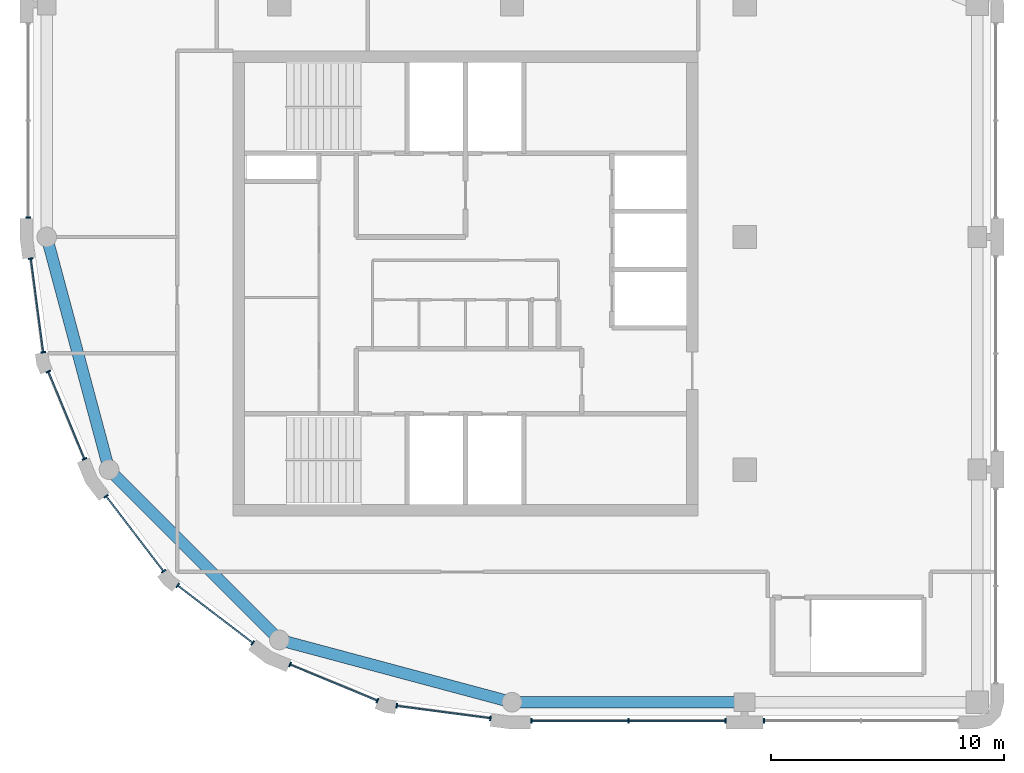
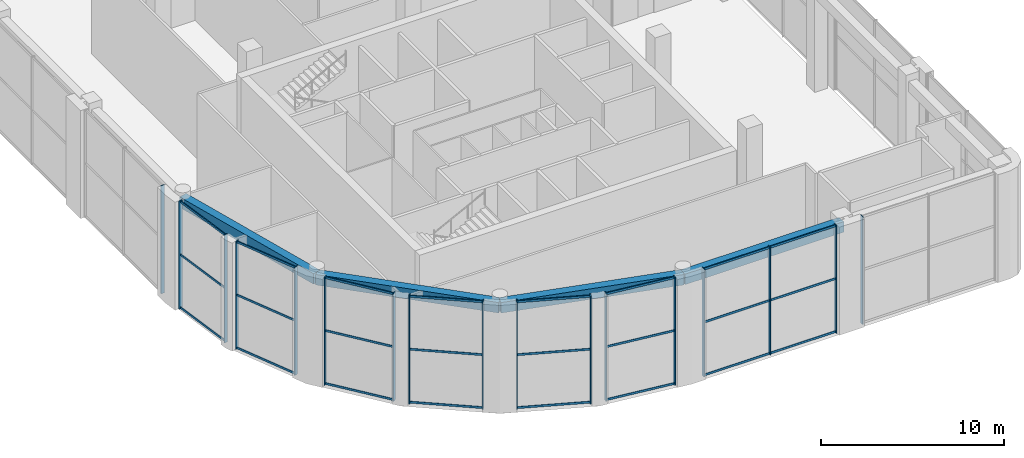
# One storey, part 2 of 14: 41 members, 4 beams, 9 elements without a shape of their own.
"""IFC4 building model written with IfcOpenShell, lengths in metres."""

from ifc_helpers import new_model, si_unit, direction, frame, origin, origin_2d, place, context, subcontext, project, spatial, rectangle, extrude, material, layer, layer_set, material_profile, profile_set, type_object, element, aggregate, save


model = new_model("IFC4")

# Units and contexts
model_context = context("Model", 3, precision=1e-05, world=origin(), true_north=direction((0.0, 1.0)))
body_context = subcontext(model_context, "Body", "Model", "MODEL_VIEW")
ifc_project = project(units=[si_unit("LENGTHUNIT", "METRE"), si_unit("AREAUNIT", "SQUARE_METRE"), si_unit("VOLUMEUNIT", "CUBIC_METRE"), si_unit("PLANEANGLEUNIT", "RADIAN"), si_unit("MASSUNIT", "GRAM", prefix="KILO")], contexts=[model_context])

# Site, building, storey
site_placement = place(None, origin())
site = spatial("IfcSite", under=ifc_project, at=site_placement, CompositionType="ELEMENT")
building_placement = place(site_placement, origin())
building = spatial("IfcBuilding", under=site, at=building_placement, Name="Qaws Garden Tower", CompositionType="ELEMENT")
storey_placement = place(building_placement, frame((0.0, 0.0, 358.199951171875)))
storey = spatial("IfcBuildingStorey", under=building, at=storey_placement, Name="L87", CompositionType="ELEMENT", Elevation=358.199951171875)

# Curtain wall, members
ifc_material_1 = material(Name="Anodised aluminium curtain wall frame", Category="aluminium")
ifc_layer = layer(ifc_material_1, 0.159912109375)
ifc_layer_set = layer_set([ifc_layer], Name="Anodised aluminium curtain wall frame")
curtain_wall_type = type_object("IfcCurtainWallType", Name="CW3 observation glazing curtain wall", PredefinedType="NOTDEFINED", material=ifc_layer_set)
placement = place(storey_placement, origin())
curtain_wall_1 = element("IfcCurtainWall", 1, at=placement, inside=storey, type_object=curtain_wall_type, Name="CW3 Observation glazing 00", PredefinedType="NOTDEFINED")
ifc_material_2 = material(Name="Anodised aluminium curtain wall frame", Category="aluminium")
ifc_material_profile_1 = material_profile(ifc_material_2, rectangle(XDim=0.219970703125, YDim=0.06005859375, at=origin_2d()), Name="AL 60x220")
ifc_profile_set_1 = profile_set([ifc_material_profile_1], Name="Anodised aluminium curtain wall frame")
member_type_1 = type_object("IfcMemberType", Name="CW3 mullion 60 x 220", PredefinedType="MULLION", material=ifc_profile_set_1)
member_1_placement = place(storey_placement, frame((20.830078125, -0.800048828125, 0.0), z_axis=(0.0, 0.0, 1.0), x_axis=(0.0, 1.0, 0.0)))
member_1 = element("IfcMember", 2, at=member_1_placement, type_object=member_type_1, Name="CW3 mullion 1", PredefinedType="MULLION", context=body_context, shape_type="SweptSolid", body=[
    extrude(rectangle(XDim=0.219970703125, YDim=0.06005859375, at=origin_2d()), origin(), (0.0, 0.0, 1.0), 7.199951171875),
])
member_2_placement = place(storey_placement, frame((25.0, -0.800048828125, 0.0), z_axis=(0.0, 0.0, 1.0), x_axis=(0.0, 1.0, 0.0)))
member_2 = element("IfcMember", 3, at=member_2_placement, type_object=member_type_1, Name="CW3 mullion 2", PredefinedType="MULLION", context=body_context, shape_type="SweptSolid", body=[
    extrude(rectangle(XDim=0.219970703125, YDim=0.06005859375, at=origin_2d()), origin(), (0.0, 0.0, 1.0), 7.199951171875),
])
member_3_placement = place(storey_placement, frame((29.169921875, -0.800048828125, 0.0), z_axis=(0.0, 0.0, 1.0), x_axis=(0.0, 1.0, 0.0)))
member_3 = element("IfcMember", 4, at=member_3_placement, type_object=member_type_1, Name="CW3 mullion 3", PredefinedType="MULLION", context=body_context, shape_type="SweptSolid", body=[
    extrude(rectangle(XDim=0.219970703125, YDim=0.06005859375, at=origin_2d()), origin(), (0.0, 0.0, 1.0), 7.199951171875),
])

# Curtain wall, member
curtain_wall_2 = element("IfcCurtainWall", 5, at=placement, inside=storey, type_object=curtain_wall_type, Name="CW3 Observation glazing 01", PredefinedType="NOTDEFINED")
member_4_placement = place(storey_placement, frame((30.830078125, -0.800048828125, 0.0), z_axis=(0.0, 0.0, 1.0), x_axis=(0.0, 1.0, 0.0)))
member_4 = element("IfcMember", 6, at=member_4_placement, type_object=member_type_1, Name="CW3 mullion 1", PredefinedType="MULLION", context=body_context, shape_type="SweptSolid", body=[
    extrude(rectangle(XDim=0.219970703125, YDim=0.06005859375, at=origin_2d()), origin(), (0.0, 0.0, 1.0), 7.199951171875),
])
aggregate(curtain_wall_2, [member_4])

curtain_wall_3 = element("IfcCurtainWall", 7, at=placement, inside=storey, type_object=curtain_wall_type, Name="CW3 Observation glazing 20", PredefinedType="NOTDEFINED")
member_5_placement = place(storey_placement, frame((-0.800048828125, 20.830078125, 0.0), z_axis=(0.0, 0.0, 1.0), x_axis=(1.0, 0.0, 0.0)))
member_5 = element("IfcMember", 8, at=member_5_placement, type_object=member_type_1, Name="CW3 mullion 3", PredefinedType="MULLION", context=body_context, shape_type="SweptSolid", body=[
    extrude(rectangle(XDim=0.219970703125, YDim=0.06005859375, at=origin_2d()), origin(), (0.0, 0.0, 1.0), 7.199951171875),
])
aggregate(curtain_wall_3, [member_5])

# Curtain wall, members
curtain_wall_4 = element("IfcCurtainWall", 9, at=placement, inside=storey, type_object=curtain_wall_type, Name="CW3 Observation glazing 21", PredefinedType="NOTDEFINED")
member_6_placement = place(storey_placement, frame((-0.684814453125, 19.07275390625, 0.0), z_axis=(0.0, 0.0, 1.0), x_axis=(0.991444861397, 0.130526192047, 0.0)))
member_6 = element("IfcMember", 10, at=member_6_placement, type_object=member_type_1, Name="CW3 mullion 1", PredefinedType="MULLION", context=body_context, shape_type="SweptSolid", body=[
    extrude(rectangle(XDim=0.219970703125, YDim=0.06005859375, at=origin_2d()), origin(), (0.0, 0.0, 1.0), 7.199951171875),
])
member_7_placement = place(storey_placement, frame((-0.15478515625, 15.04638671875, 0.0), z_axis=(0.0, 0.0, 1.0), x_axis=(0.991444861397, 0.130526192047, 0.0)))
member_7 = element("IfcMember", 11, at=member_7_placement, type_object=member_type_1, Name="CW3 mullion 2", PredefinedType="MULLION", context=body_context, shape_type="SweptSolid", body=[
    extrude(rectangle(XDim=0.219970703125, YDim=0.06005859375, at=origin_2d()), origin(), (0.0, 0.0, 1.0), 7.199951171875),
])

curtain_wall_5 = element("IfcCurtainWall", 12, at=placement, inside=storey, type_object=curtain_wall_type, Name="CW3 Observation glazing 22", PredefinedType="NOTDEFINED")
member_8_placement = place(storey_placement, frame((0.068603515625, 14.212646484375, 0.0), z_axis=(0.0, 0.0, 1.0), x_axis=(0.923879532545, 0.382683432284, 0.0)))
member_8 = element("IfcMember", 13, at=member_8_placement, type_object=member_type_1, Name="CW3 mullion 1", PredefinedType="MULLION", context=body_context, shape_type="SweptSolid", body=[
    extrude(rectangle(XDim=0.219970703125, YDim=0.06005859375, at=origin_2d()), origin(), (0.0, 0.0, 1.0), 7.199951171875),
])
member_9_placement = place(storey_placement, frame((1.622802734375, 10.460693359375, 0.0), z_axis=(0.0, 0.0, 1.0), x_axis=(0.923879532545, 0.382683432284, 0.0)))
member_9 = element("IfcMember", 14, at=member_9_placement, type_object=member_type_1, Name="CW3 mullion 2", PredefinedType="MULLION", context=body_context, shape_type="SweptSolid", body=[
    extrude(rectangle(XDim=0.219970703125, YDim=0.06005859375, at=origin_2d()), origin(), (0.0, 0.0, 1.0), 7.199951171875),
])

curtain_wall_6 = element("IfcCurtainWall", 15, at=placement, inside=storey, type_object=curtain_wall_type, Name="CW3 Observation glazing 23", PredefinedType="NOTDEFINED")
member_10_placement = place(storey_placement, frame((2.550048828125, 8.8544921875, 0.0), z_axis=(0.0, 0.0, 1.0), x_axis=(0.793353340355, 0.608761428926, 0.0)))
member_10 = element("IfcMember", 16, at=member_10_placement, type_object=member_type_1, Name="CW3 mullion 1", PredefinedType="MULLION", context=body_context, shape_type="SweptSolid", body=[
    extrude(rectangle(XDim=0.219970703125, YDim=0.06005859375, at=origin_2d()), origin(), (0.0, 0.0, 1.0), 7.199951171875),
])
member_11_placement = place(storey_placement, frame((5.022216796875, 5.632568359375, 0.0), z_axis=(0.0, 0.0, 1.0), x_axis=(0.793353340355, 0.608761428926, 0.0)))
member_11 = element("IfcMember", 17, at=member_11_placement, type_object=member_type_1, Name="CW3 mullion 2", PredefinedType="MULLION", context=body_context, shape_type="SweptSolid", body=[
    extrude(rectangle(XDim=0.219970703125, YDim=0.06005859375, at=origin_2d()), origin(), (0.0, 0.0, 1.0), 7.199951171875),
])

curtain_wall_7 = element("IfcCurtainWall", 18, at=placement, inside=storey, type_object=curtain_wall_type, Name="CW3 Observation glazing 24", PredefinedType="NOTDEFINED")
member_12_placement = place(storey_placement, frame((5.632568359375, 5.022216796875, 0.0), z_axis=(0.0, 0.0, 1.0), x_axis=(0.608761428926, 0.793353340355, 0.0)))
member_12 = element("IfcMember", 19, at=member_12_placement, type_object=member_type_1, Name="CW3 mullion 1", PredefinedType="MULLION", context=body_context, shape_type="SweptSolid", body=[
    extrude(rectangle(XDim=0.219970703125, YDim=0.06005859375, at=origin_2d()), origin(), (0.0, 0.0, 1.0), 7.199951171875),
])
member_13_placement = place(storey_placement, frame((8.8544921875, 2.550048828125, 0.0), z_axis=(0.0, 0.0, 1.0), x_axis=(0.608761428926, 0.793353340355, 0.0)))
member_13 = element("IfcMember", 20, at=member_13_placement, type_object=member_type_1, Name="CW3 mullion 2", PredefinedType="MULLION", context=body_context, shape_type="SweptSolid", body=[
    extrude(rectangle(XDim=0.219970703125, YDim=0.06005859375, at=origin_2d()), origin(), (0.0, 0.0, 1.0), 7.199951171875),
])

curtain_wall_8 = element("IfcCurtainWall", 21, at=placement, inside=storey, type_object=curtain_wall_type, Name="CW3 Observation glazing 25", PredefinedType="NOTDEFINED")
member_14_placement = place(storey_placement, frame((10.460693359375, 1.622802734375, 0.0), z_axis=(0.0, 0.0, 1.0), x_axis=(0.382683432284, 0.923879532545, 0.0)))
member_14 = element("IfcMember", 22, at=member_14_placement, type_object=member_type_1, Name="CW3 mullion 1", PredefinedType="MULLION", context=body_context, shape_type="SweptSolid", body=[
    extrude(rectangle(XDim=0.219970703125, YDim=0.06005859375, at=origin_2d()), origin(), (0.0, 0.0, 1.0), 7.199951171875),
])
member_15_placement = place(storey_placement, frame((14.212646484375, 0.068603515625, 0.0), z_axis=(0.0, 0.0, 1.0), x_axis=(0.382683432284, 0.923879532545, 0.0)))
member_15 = element("IfcMember", 23, at=member_15_placement, type_object=member_type_1, Name="CW3 mullion 2", PredefinedType="MULLION", context=body_context, shape_type="SweptSolid", body=[
    extrude(rectangle(XDim=0.219970703125, YDim=0.06005859375, at=origin_2d()), origin(), (0.0, 0.0, 1.0), 7.199951171875),
])

curtain_wall_9 = element("IfcCurtainWall", 24, at=placement, inside=storey, type_object=curtain_wall_type, Name="CW3 Observation glazing 26", PredefinedType="NOTDEFINED")
member_16_placement = place(storey_placement, frame((15.04638671875, -0.15478515625, 0.0), z_axis=(0.0, 0.0, 1.0), x_axis=(0.130526192047, 0.991444861397, 0.0)))
member_16 = element("IfcMember", 25, at=member_16_placement, type_object=member_type_1, Name="CW3 mullion 1", PredefinedType="MULLION", context=body_context, shape_type="SweptSolid", body=[
    extrude(rectangle(XDim=0.219970703125, YDim=0.06005859375, at=origin_2d()), origin(), (0.0, 0.0, 1.0), 7.199951171875),
])
member_17_placement = place(storey_placement, frame((19.07275390625, -0.684814453125, 0.0), z_axis=(0.0, 0.0, 1.0), x_axis=(0.130526192047, 0.991444861397, 0.0)))
member_17 = element("IfcMember", 26, at=member_17_placement, type_object=member_type_1, Name="CW3 mullion 2", PredefinedType="MULLION", context=body_context, shape_type="SweptSolid", body=[
    extrude(rectangle(XDim=0.219970703125, YDim=0.06005859375, at=origin_2d()), origin(), (0.0, 0.0, 1.0), 7.199951171875),
])

# Member
ifc_material_3 = material(Name="Anodised aluminium curtain wall frame", Category="aluminium")
ifc_material_profile_2 = material_profile(ifc_material_3, rectangle(XDim=0.06005859375, YDim=0.139892578125, at=origin_2d()), Name="AL 60x140")
ifc_profile_set_2 = profile_set([ifc_material_profile_2], Name="Anodised aluminium curtain wall frame")
member_type_2 = type_object("IfcMemberType", Name="CW3 transom 140 x 60", PredefinedType="USERDEFINED", material=ifc_profile_set_2)
member_18_placement = place(storey_placement, frame((20.860107421875, -0.800048828125, 0.070068359375), z_axis=(1.0, 0.0, 0.0), x_axis=(0.0, 1.0, 0.0)))
member_18 = element("IfcMember", 27, at=member_18_placement, type_object=member_type_2, Name="CW3 transom 1.1", ObjectType="TRANSOM", PredefinedType="USERDEFINED", context=body_context, shape_type="SweptSolid", body=[
    extrude(rectangle(XDim=0.06005859375, YDim=0.139892578125, at=origin_2d()), origin(), (0.0, 0.0, 1.0), 4.10986328125),
])

member_19_placement = place(storey_placement, frame((20.860107421875, -0.800048828125, 3.60009765625), z_axis=(1.0, 0.0, 0.0), x_axis=(0.0, 1.0, 0.0)))
member_19 = element("IfcMember", 28, at=member_19_placement, type_object=member_type_2, Name="CW3 transom 1.2", ObjectType="TRANSOM", PredefinedType="USERDEFINED", context=body_context, shape_type="SweptSolid", body=[
    extrude(rectangle(XDim=0.06005859375, YDim=0.139892578125, at=origin_2d()), origin(), (0.0, 0.0, 1.0), 4.10986328125),
])

member_20_placement = place(storey_placement, frame((20.860107421875, -0.800048828125, 7.130126953125), z_axis=(1.0, 0.0, 0.0), x_axis=(0.0, 1.0, 0.0)))
member_20 = element("IfcMember", 29, at=member_20_placement, type_object=member_type_2, Name="CW3 transom 1.3", ObjectType="TRANSOM", PredefinedType="USERDEFINED", context=body_context, shape_type="SweptSolid", body=[
    extrude(rectangle(XDim=0.06005859375, YDim=0.139892578125, at=origin_2d()), origin(), (0.0, 0.0, 1.0), 4.10986328125),
])

member_21_placement = place(storey_placement, frame((25.030029296875, -0.800048828125, 0.070068359375), z_axis=(1.0, 0.0, 0.0), x_axis=(0.0, 1.0, 0.0)))
member_21 = element("IfcMember", 30, at=member_21_placement, type_object=member_type_2, Name="CW3 transom 2.1", ObjectType="TRANSOM", PredefinedType="USERDEFINED", context=body_context, shape_type="SweptSolid", body=[
    extrude(rectangle(XDim=0.06005859375, YDim=0.139892578125, at=origin_2d()), origin(), (0.0, 0.0, 1.0), 4.10986328125),
])

member_22_placement = place(storey_placement, frame((25.030029296875, -0.800048828125, 3.60009765625), z_axis=(1.0, 0.0, 0.0), x_axis=(0.0, 1.0, 0.0)))
member_22 = element("IfcMember", 31, at=member_22_placement, type_object=member_type_2, Name="CW3 transom 2.2", ObjectType="TRANSOM", PredefinedType="USERDEFINED", context=body_context, shape_type="SweptSolid", body=[
    extrude(rectangle(XDim=0.06005859375, YDim=0.139892578125, at=origin_2d()), origin(), (0.0, 0.0, 1.0), 4.10986328125),
])

member_23_placement = place(storey_placement, frame((25.030029296875, -0.800048828125, 7.130126953125), z_axis=(1.0, 0.0, 0.0), x_axis=(0.0, 1.0, 0.0)))
member_23 = element("IfcMember", 32, at=member_23_placement, type_object=member_type_2, Name="CW3 transom 2.3", ObjectType="TRANSOM", PredefinedType="USERDEFINED", context=body_context, shape_type="SweptSolid", body=[
    extrude(rectangle(XDim=0.06005859375, YDim=0.139892578125, at=origin_2d()), origin(), (0.0, 0.0, 1.0), 4.10986328125),
])

aggregate(curtain_wall_1, [member_1, member_2, member_3, member_18, member_19, member_20, member_21, member_22, member_23])

member_24_placement = place(storey_placement, frame((-0.680908203125, 19.04296875, 0.070068359375), z_axis=(0.13052080717, -0.991445570314, 0.0), x_axis=(0.991445570314, 0.13052080717, 0.0)))
member_24 = element("IfcMember", 33, at=member_24_placement, type_object=member_type_2, Name="CW3 transom 1.1", ObjectType="TRANSOM", PredefinedType="USERDEFINED", context=body_context, shape_type="SweptSolid", body=[
    extrude(rectangle(XDim=0.06005859375, YDim=0.139892578125, at=origin_2d()), origin(), (0.0, 0.0, 1.0), 4.0009765625),
])

member_25_placement = place(storey_placement, frame((-0.680908203125, 19.04296875, 3.60009765625), z_axis=(0.13052080717, -0.991445570314, 0.0), x_axis=(0.991445570314, 0.13052080717, 0.0)))
member_25 = element("IfcMember", 34, at=member_25_placement, type_object=member_type_2, Name="CW3 transom 1.2", ObjectType="TRANSOM", PredefinedType="USERDEFINED", context=body_context, shape_type="SweptSolid", body=[
    extrude(rectangle(XDim=0.06005859375, YDim=0.139892578125, at=origin_2d()), origin(), (0.0, 0.0, 1.0), 4.0009765625),
])

member_26_placement = place(storey_placement, frame((-0.680908203125, 19.04296875, 7.130126953125), z_axis=(0.13052080717, -0.991445570314, 0.0), x_axis=(0.991445570314, 0.13052080717, 0.0)))
member_26 = element("IfcMember", 35, at=member_26_placement, type_object=member_type_2, Name="CW3 transom 1.3", ObjectType="TRANSOM", PredefinedType="USERDEFINED", context=body_context, shape_type="SweptSolid", body=[
    extrude(rectangle(XDim=0.06005859375, YDim=0.139892578125, at=origin_2d()), origin(), (0.0, 0.0, 1.0), 4.0009765625),
])

aggregate(curtain_wall_4, [member_6, member_7, member_24, member_25, member_26])

member_27_placement = place(storey_placement, frame((0.080078125, 14.184814453125, 0.070068359375), z_axis=(0.382703871955, -0.923871065891, 0.0), x_axis=(0.923871065891, 0.382703871955, 0.0)))
member_27 = element("IfcMember", 36, at=member_27_placement, type_object=member_type_2, Name="CW3 transom 1.1", ObjectType="TRANSOM", PredefinedType="USERDEFINED", context=body_context, shape_type="SweptSolid", body=[
    extrude(rectangle(XDim=0.06005859375, YDim=0.139892578125, at=origin_2d()), origin(), (0.0, 0.0, 1.0), 4.001220703125),
])

member_28_placement = place(storey_placement, frame((0.080078125, 14.184814453125, 3.60009765625), z_axis=(0.382703871955, -0.923871065891, 0.0), x_axis=(0.923871065891, 0.382703871955, 0.0)))
member_28 = element("IfcMember", 37, at=member_28_placement, type_object=member_type_2, Name="CW3 transom 1.2", ObjectType="TRANSOM", PredefinedType="USERDEFINED", context=body_context, shape_type="SweptSolid", body=[
    extrude(rectangle(XDim=0.06005859375, YDim=0.139892578125, at=origin_2d()), origin(), (0.0, 0.0, 1.0), 4.001220703125),
])

member_29_placement = place(storey_placement, frame((0.080078125, 14.184814453125, 7.130126953125), z_axis=(0.382703871955, -0.923871065891, 0.0), x_axis=(0.923871065891, 0.382703871955, 0.0)))
member_29 = element("IfcMember", 38, at=member_29_placement, type_object=member_type_2, Name="CW3 transom 1.3", ObjectType="TRANSOM", PredefinedType="USERDEFINED", context=body_context, shape_type="SweptSolid", body=[
    extrude(rectangle(XDim=0.06005859375, YDim=0.139892578125, at=origin_2d()), origin(), (0.0, 0.0, 1.0), 4.001220703125),
])

aggregate(curtain_wall_5, [member_8, member_9, member_27, member_28, member_29])

member_30_placement = place(storey_placement, frame((2.568359375, 8.830810546875, 0.070068359375), z_axis=(0.608731260508, -0.793376488485, 0.0), x_axis=(0.793376488485, 0.608731260508, 0.0)))
member_30 = element("IfcMember", 39, at=member_30_placement, type_object=member_type_2, Name="CW3 transom 1.1", ObjectType="TRANSOM", PredefinedType="USERDEFINED", context=body_context, shape_type="SweptSolid", body=[
    extrude(rectangle(XDim=0.06005859375, YDim=0.139892578125, at=origin_2d()), origin(), (0.0, 0.0, 1.0), 4.0009765625),
])

member_31_placement = place(storey_placement, frame((2.568359375, 8.830810546875, 3.60009765625), z_axis=(0.608731260508, -0.793376488485, 0.0), x_axis=(0.793376488485, 0.608731260508, 0.0)))
member_31 = element("IfcMember", 40, at=member_31_placement, type_object=member_type_2, Name="CW3 transom 1.2", ObjectType="TRANSOM", PredefinedType="USERDEFINED", context=body_context, shape_type="SweptSolid", body=[
    extrude(rectangle(XDim=0.06005859375, YDim=0.139892578125, at=origin_2d()), origin(), (0.0, 0.0, 1.0), 4.0009765625),
])

member_32_placement = place(storey_placement, frame((2.568359375, 8.830810546875, 7.130126953125), z_axis=(0.608731260508, -0.793376488485, 0.0), x_axis=(0.793376488485, 0.608731260508, 0.0)))
member_32 = element("IfcMember", 41, at=member_32_placement, type_object=member_type_2, Name="CW3 transom 1.3", ObjectType="TRANSOM", PredefinedType="USERDEFINED", context=body_context, shape_type="SweptSolid", body=[
    extrude(rectangle(XDim=0.06005859375, YDim=0.139892578125, at=origin_2d()), origin(), (0.0, 0.0, 1.0), 4.0009765625),
])

aggregate(curtain_wall_6, [member_10, member_11, member_30, member_31, member_32])

member_33_placement = place(storey_placement, frame((5.656494140625, 5.00390625, 0.070068359375), z_axis=(0.793376488485, -0.608731260508, 0.0), x_axis=(0.608731260508, 0.793376488485, 0.0)))
member_33 = element("IfcMember", 42, at=member_33_placement, type_object=member_type_2, Name="CW3 transom 1.1", ObjectType="TRANSOM", PredefinedType="USERDEFINED", context=body_context, shape_type="SweptSolid", body=[
    extrude(rectangle(XDim=0.06005859375, YDim=0.139892578125, at=origin_2d()), origin(), (0.0, 0.0, 1.0), 4.0009765625),
])

member_34_placement = place(storey_placement, frame((5.656494140625, 5.00390625, 3.60009765625), z_axis=(0.793376488485, -0.608731260508, 0.0), x_axis=(0.608731260508, 0.793376488485, 0.0)))
member_34 = element("IfcMember", 43, at=member_34_placement, type_object=member_type_2, Name="CW3 transom 1.2", ObjectType="TRANSOM", PredefinedType="USERDEFINED", context=body_context, shape_type="SweptSolid", body=[
    extrude(rectangle(XDim=0.06005859375, YDim=0.139892578125, at=origin_2d()), origin(), (0.0, 0.0, 1.0), 4.0009765625),
])

member_35_placement = place(storey_placement, frame((5.656494140625, 5.00390625, 7.130126953125), z_axis=(0.793376488485, -0.608731260508, 0.0), x_axis=(0.608731260508, 0.793376488485, 0.0)))
member_35 = element("IfcMember", 44, at=member_35_placement, type_object=member_type_2, Name="CW3 transom 1.3", ObjectType="TRANSOM", PredefinedType="USERDEFINED", context=body_context, shape_type="SweptSolid", body=[
    extrude(rectangle(XDim=0.06005859375, YDim=0.139892578125, at=origin_2d()), origin(), (0.0, 0.0, 1.0), 4.0009765625),
])

aggregate(curtain_wall_7, [member_12, member_13, member_33, member_34, member_35])

member_36_placement = place(storey_placement, frame((10.48828125, 1.611328125, 0.070068359375), z_axis=(0.923871065891, -0.382703871955, 0.0), x_axis=(0.382703871955, 0.923871065891, 0.0)))
member_36 = element("IfcMember", 45, at=member_36_placement, type_object=member_type_2, Name="CW3 transom 1.1", ObjectType="TRANSOM", PredefinedType="USERDEFINED", context=body_context, shape_type="SweptSolid", body=[
    extrude(rectangle(XDim=0.06005859375, YDim=0.139892578125, at=origin_2d()), origin(), (0.0, 0.0, 1.0), 4.001220703125),
])

member_37_placement = place(storey_placement, frame((10.48828125, 1.611328125, 3.60009765625), z_axis=(0.923871065891, -0.382703871955, 0.0), x_axis=(0.382703871955, 0.923871065891, 0.0)))
member_37 = element("IfcMember", 46, at=member_37_placement, type_object=member_type_2, Name="CW3 transom 1.2", ObjectType="TRANSOM", PredefinedType="USERDEFINED", context=body_context, shape_type="SweptSolid", body=[
    extrude(rectangle(XDim=0.06005859375, YDim=0.139892578125, at=origin_2d()), origin(), (0.0, 0.0, 1.0), 4.001220703125),
])

member_38_placement = place(storey_placement, frame((10.48828125, 1.611328125, 7.130126953125), z_axis=(0.923871065891, -0.382703871955, 0.0), x_axis=(0.382703871955, 0.923871065891, 0.0)))
member_38 = element("IfcMember", 47, at=member_38_placement, type_object=member_type_2, Name="CW3 transom 1.3", ObjectType="TRANSOM", PredefinedType="USERDEFINED", context=body_context, shape_type="SweptSolid", body=[
    extrude(rectangle(XDim=0.06005859375, YDim=0.139892578125, at=origin_2d()), origin(), (0.0, 0.0, 1.0), 4.001220703125),
])

aggregate(curtain_wall_8, [member_14, member_15, member_36, member_37, member_38])

member_39_placement = place(storey_placement, frame((15.076171875, -0.15869140625, 0.070068359375), z_axis=(0.991445570314, -0.13052080717, 0.0), x_axis=(0.13052080717, 0.991445570314, 0.0)))
member_39 = element("IfcMember", 48, at=member_39_placement, type_object=member_type_2, Name="CW3 transom 1.1", ObjectType="TRANSOM", PredefinedType="USERDEFINED", context=body_context, shape_type="SweptSolid", body=[
    extrude(rectangle(XDim=0.06005859375, YDim=0.139892578125, at=origin_2d()), origin(), (0.0, 0.0, 1.0), 4.0009765625),
])

member_40_placement = place(storey_placement, frame((15.076171875, -0.15869140625, 3.60009765625), z_axis=(0.991445570314, -0.13052080717, 0.0), x_axis=(0.13052080717, 0.991445570314, 0.0)))
member_40 = element("IfcMember", 49, at=member_40_placement, type_object=member_type_2, Name="CW3 transom 1.2", ObjectType="TRANSOM", PredefinedType="USERDEFINED", context=body_context, shape_type="SweptSolid", body=[
    extrude(rectangle(XDim=0.06005859375, YDim=0.139892578125, at=origin_2d()), origin(), (0.0, 0.0, 1.0), 4.0009765625),
])

member_41_placement = place(storey_placement, frame((15.076171875, -0.15869140625, 7.130126953125), z_axis=(0.991445570314, -0.13052080717, 0.0), x_axis=(0.13052080717, 0.991445570314, 0.0)))
member_41 = element("IfcMember", 50, at=member_41_placement, type_object=member_type_2, Name="CW3 transom 1.3", ObjectType="TRANSOM", PredefinedType="USERDEFINED", context=body_context, shape_type="SweptSolid", body=[
    extrude(rectangle(XDim=0.06005859375, YDim=0.139892578125, at=origin_2d()), origin(), (0.0, 0.0, 1.0), 4.0009765625),
])

aggregate(curtain_wall_9, [member_16, member_17, member_39, member_40, member_41])

# Beams
ifc_material_4 = material(Name="Concrete C45", Category="concrete")
ifc_material_profile_3 = material_profile(ifc_material_4, rectangle(XDim=0.5, YDim=0.699951171875, at=origin_2d()), Name="RC 500x700")
ifc_profile_set_3 = profile_set([ifc_material_profile_3], Name="Concrete C45")
beam_type = type_object("IfcBeamType", Name="Spandrel beam RC 500x700 C45", PredefinedType="SPANDREL", material=ifc_profile_set_3)
beam_placement = place(storey_placement, frame((20.0, 0.0, 6.400146484375), z_axis=(1.0, 0.0, 0.0), x_axis=(0.0, 1.0, 0.0)))
element("IfcBeam", 51, at=beam_placement, inside=storey, type_object=beam_type, Name="Spandrel beam L87-001", PredefinedType="SPANDREL", context=body_context, shape_type="SweptSolid", body=[
    extrude(rectangle(XDim=0.5, YDim=0.699951171875, at=origin_2d()), origin(), (0.0, 0.0, 1.0), 10.0),
])
for number, where, z_axis, x_axis, name in (
    (52, (0.0, 20.0, 6.400146484375), (0.25881466832, -0.965926999034, 0.0), (0.965926999034, 0.25881466832, 0.0), "Spandrel beam L87-018"),
    (53, (2.679443359375, 10.0, 6.400146484375), (0.707106781187, -0.707106781187, 0.0), (0.707106781187, 0.707106781187, 0.0), "Spandrel beam L87-019"),
    (54, (10.0, 2.679443359375, 6.400146484375), (0.965926999034, -0.25881466832, 0.0), (0.25881466832, 0.965926999034, 0.0), "Spandrel beam L87-020"),
):
    element("IfcBeam", number, at=place(storey_placement, frame(where, z_axis=z_axis, x_axis=x_axis)), inside=storey, type_object=beam_type, Name=name, PredefinedType="SPANDREL", context=body_context, shape_type="SweptSolid", body=[
        extrude(rectangle(XDim=0.5, YDim=0.699951171875, at=origin_2d()), origin(), (0.0, 0.0, 1.0), 10.352783203125),
    ])

save(model, "model.ifc")
